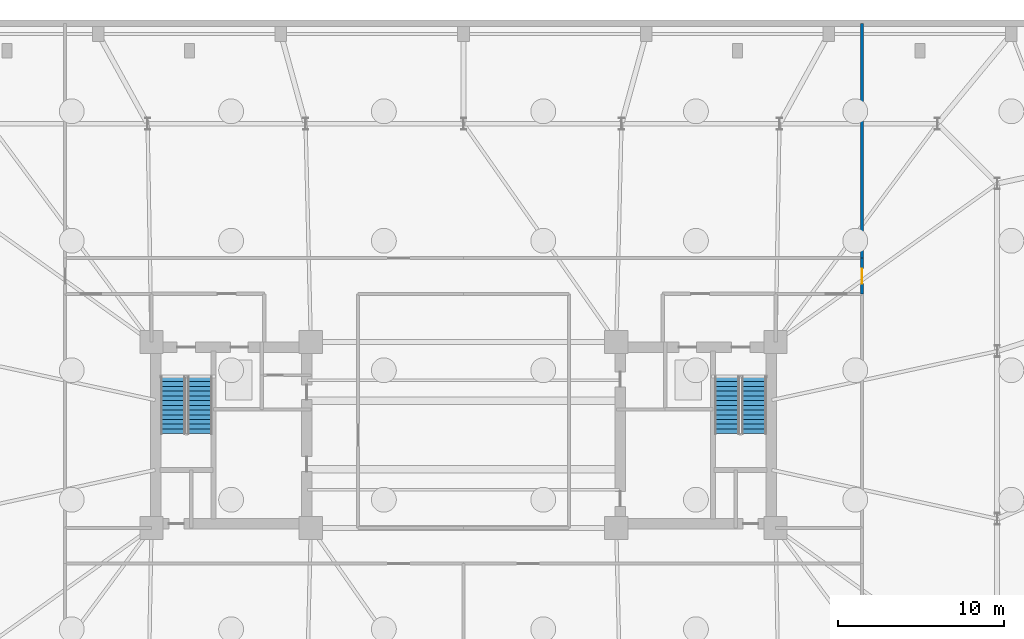
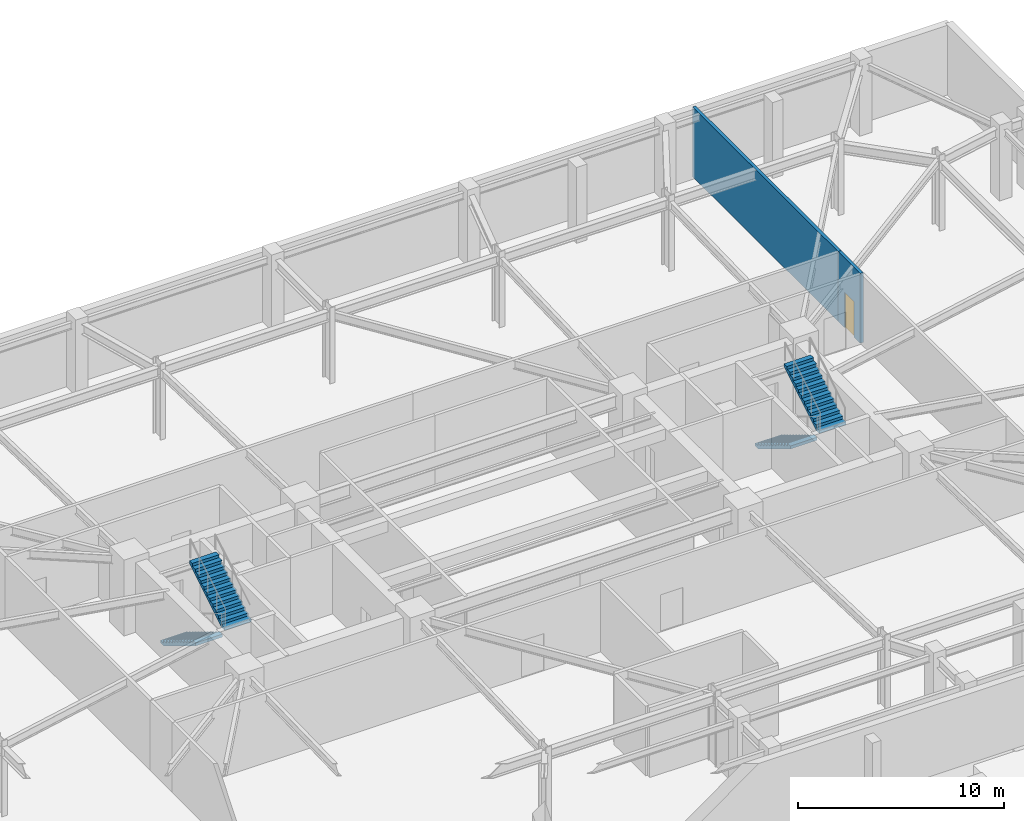
# One storey, part 12 of 15: 4 stair flights, 2 walls, 1 door, 1 opening, 2 elements without a shape of their own.
"""IFC4 building model written with IfcOpenShell, lengths in metres."""

import ifcopenshell
import ifcopenshell.guid

model = None  # the IFC model being written
_history = None  # IfcOwnerHistory: only IFC2X3 demands one
_inside = {}  # id of a spatial element -> (the spatial element, [elements in it])
_under = {}  # id of a project, library or spatial element -> (it, [spatial elements below it])
_declared = {}  # id of a project -> (the project, [libraries it declares])
_typed = {}  # id of a type object -> (the type object, [elements of that type])
_made_of = {}  # id of a material, layer set ... -> (it, [elements and type objects made of it])


def new_model(schema):
    """Start an empty IFC model of exactly this schema.

    Asked for "IFC4X3", IfcOpenShell would pick the latest addendum, in which some entities
    have other attributes; the version numbers below select the first issue.
    IFC2X3 requires an IfcOwnerHistory on every rooted entity: one is made here for all.
    """
    global model, _history
    if schema == "IFC4X3":
        model = ifcopenshell.file(schema_version=(4, 3, 0, 0))
    else:
        model = ifcopenshell.file(schema=schema)
    _inside.clear()
    _under.clear()
    _declared.clear()
    _typed.clear()
    _made_of.clear()
    _history = None
    if model.schema == "IFC2X3":
        org = make("IfcOrganization", Name="unknown")
        user = make(
            "IfcPersonAndOrganization",
            ThePerson=make("IfcPerson", FamilyName="unknown"),
            TheOrganization=org,
        )
        app = make(
            "IfcApplication",
            ApplicationDeveloper=org,
            Version="unknown",
            ApplicationFullName="unknown",
            ApplicationIdentifier="unknown",
        )
        _history = make(
            "IfcOwnerHistory",
            OwningUser=user,
            OwningApplication=app,
            ChangeAction="ADDED",
            CreationDate=0,
        )
    return model


def make(cls, **values):
    """One entity of the class cls with the attributes given. An attribute that is None is left unset."""
    return model.create_entity(
        cls, **{name: value for name, value in values.items() if value is not None}
    )


def rooted(cls, **values):
    """An entity with a GlobalId (a new one), such as an element, a storey or a relation."""
    return make(cls, GlobalId=ifcopenshell.guid.new(), OwnerHistory=_history, **values)


def si_unit(unit_type, name, prefix=None):
    """IfcSIUnit, for example si_unit("LENGTHUNIT", "METRE", prefix="MILLI")."""
    return make("IfcSIUnit", UnitType=unit_type, Prefix=prefix, Name=name)


def assignment(units):
    """IfcUnitAssignment: the units of a project."""
    return None if units is None else make("IfcUnitAssignment", Units=units)


def point(xyz):
    """IfcCartesianPoint."""
    return None if xyz is None else make("IfcCartesianPoint", Coordinates=xyz)


def direction(xyz):
    """IfcDirection."""
    return None if xyz is None else make("IfcDirection", DirectionRatios=xyz)


def frame(location, z_axis=None, x_axis=None):
    """IfcAxis2Placement3D, a coordinate frame: its origin and axes. An axis left out is left unset."""
    return make(
        "IfcAxis2Placement3D",
        Location=point(location),
        Axis=direction(z_axis),
        RefDirection=direction(x_axis),
    )


def frame_2d(location, x_axis=None):
    """IfcAxis2Placement2D, a coordinate frame in the plane: its origin and x axis."""
    return make(
        "IfcAxis2Placement2D", Location=point(location), RefDirection=direction(x_axis)
    )


def origin():
    """The frame at (0, 0, 0) with its axes left unset."""
    return frame((0.0, 0.0, 0.0))


def place(relative_to, where):
    """IfcLocalPlacement: puts the frame where relative to a parent placement (None: the world)."""
    return make(
        "IfcLocalPlacement", PlacementRelTo=relative_to, RelativePlacement=where
    )


def context(
    kind, dimensions, precision=None, world=None, true_north=None, identifier=None
):
    """IfcGeometricRepresentationContext, for example the 3D "Model" context."""
    return make(
        "IfcGeometricRepresentationContext",
        ContextIdentifier=identifier,
        ContextType=kind,
        CoordinateSpaceDimension=dimensions,
        Precision=precision,
        WorldCoordinateSystem=world,
        TrueNorth=true_north,
    )


def subcontext(parent, identifier, kind, view, scale=None):
    """IfcGeometricRepresentationSubContext, for example "Body" below "Model"."""
    return make(
        "IfcGeometricRepresentationSubContext",
        ContextIdentifier=identifier,
        ContextType=kind,
        ParentContext=parent,
        TargetScale=scale,
        TargetView=view,
    )


def project(units=None, contexts=None):
    """IfcProject with its units and contexts."""
    return rooted(
        "IfcProject",
        Name="project",
        RepresentationContexts=contexts,
        UnitsInContext=assignment(units),
    )


def spatial(cls, under=None, at=None, **own):
    """A site, building, storey or space (cls), placed at a placement, below another one or the project."""
    s = rooted(cls, ObjectPlacement=at, **own)
    if under is not None:
        _under.setdefault(under.id(), (under, []))[1].append(s)
    return s


def polyline(points):
    """IfcPolyline through the points."""
    return make("IfcPolyline", Points=[point(p) for p in points])


def profile(cls, at=None, kind="AREA", **sizes):
    """A parametric profile (cls). Its sizes go by their IFC names, for example OverallWidth=200.0."""
    return make(cls, ProfileType=kind, Position=at, **sizes)


def rectangle(**sizes):
    """IfcRectangleProfileDef."""
    return profile("IfcRectangleProfileDef", **sizes)


def outline(outer, holes=None, kind="AREA"):
    """IfcArbitraryClosedProfileDef: a profile drawn as a closed curve; with holes, ...WithVoids."""
    if holes is None:
        return make("IfcArbitraryClosedProfileDef", ProfileType=kind, OuterCurve=outer)
    return make(
        "IfcArbitraryProfileDefWithVoids",
        ProfileType=kind,
        OuterCurve=outer,
        InnerCurves=holes,
    )


def extrude(swept, where, along, depth):
    """IfcExtrudedAreaSolid: the profile swept, set in the frame where, extruded along a direction by depth."""
    return make(
        "IfcExtrudedAreaSolid",
        SweptArea=swept,
        Position=where,
        ExtrudedDirection=direction(along),
        Depth=depth,
    )


def shape(context_of_items, identifier, shape_type, items):
    """IfcShapeRepresentation: the items that make up one representation, for example the "Body"."""
    return make(
        "IfcShapeRepresentation",
        ContextOfItems=context_of_items,
        RepresentationIdentifier=identifier,
        RepresentationType=shape_type,
        Items=items,
    )


def material(Name=None, Category=None):
    """IfcMaterial."""
    return make("IfcMaterial", Name=Name, Category=Category)


def layer(
    of_material, thickness, ventilated=None, Name=None, Category=None, Priority=None
):
    """IfcMaterialLayer: one layer of a wall or slab, of a material (None: an air gap)."""
    return make(
        "IfcMaterialLayer",
        Material=of_material,
        LayerThickness=thickness,
        IsVentilated=ventilated,
        Name=Name,
        Category=Category,
        Priority=Priority,
    )


def layer_set(layers, Name=None):
    """IfcMaterialLayerSet."""
    return make("IfcMaterialLayerSet", MaterialLayers=layers, LayerSetName=Name)


def made_of(thing, what):
    """Note that an element or type object is made of a material, layer set ...; save() writes the relation."""
    if what is not None:
        _made_of.setdefault(what.id(), (what, []))[1].append(thing)
    return thing


def type_object(cls, material=None, **own):
    """A type object (cls), such as IfcWallType, which elements share."""
    return made_of(rooted(cls, **own), material)


def element(
    cls,
    number,
    at=None,
    inside=None,
    cuts=None,
    type_object=None,
    material=None,
    context=None,
    identifier="Body",
    shape_type=None,
    held_by="IfcProductDefinitionShape",
    body=None,
    shapes=None,
    **own,
):
    """One element of the class cls, such as IfcWall. Its Tag is "e" and its number.

    at: its placement. inside: the storey or other place that contains it. cuts: it is an
    opening in that element (IfcRelVoidsElement). A single representation is given by context,
    identifier, shape_type and body (its items); several are given by shapes. held_by: the class
    of the entity that holds the representations. save() writes the other relations.
    """
    e = rooted(cls, Tag="e%d" % number, ObjectPlacement=at, **own)
    if body is not None:
        shapes = [shape(context, identifier, shape_type, body)]
    if shapes is not None:
        e.Representation = make(held_by, Representations=shapes)
    if inside is not None:
        _inside.setdefault(inside.id(), (inside, []))[1].append(e)
    if cuts is not None:
        rooted(
            "IfcRelVoidsElement", RelatingBuildingElement=cuts, RelatedOpeningElement=e
        )
    if type_object is not None:
        _typed.setdefault(type_object.id(), (type_object, []))[1].append(e)
    return made_of(e, material)


def fill(opening, filler):
    """IfcRelFillsElement: the door or window that sits in an opening."""
    return rooted(
        "IfcRelFillsElement",
        RelatingOpeningElement=opening,
        RelatedBuildingElement=filler,
    )


def aggregate(whole, parts):
    """IfcRelAggregates: a whole, such as a stair, and the parts it consists of."""
    return rooted("IfcRelAggregates", RelatingObject=whole, RelatedObjects=parts)


def save(model, path):
    """Write the relations noted so far, then the file.

    IfcRelAggregates (storeys below a building ...), IfcRelContainedInSpatialStructure (elements
    in a storey), IfcRelDefinesByType, IfcRelAssociatesMaterial and IfcRelDeclares: one each for
    every whole, place, type object, material and project.
    """
    for whole, parts in _under.values():
        aggregate(whole, parts)
    for where, things in _inside.values():
        rooted(
            "IfcRelContainedInSpatialStructure",
            RelatedElements=things,
            RelatingStructure=where,
        )
    for kind, things in _typed.values():
        rooted("IfcRelDefinesByType", RelatedObjects=things, RelatingType=kind)
    for what, things in _made_of.values():
        rooted("IfcRelAssociatesMaterial", RelatedObjects=things, RelatingMaterial=what)
    for by, libraries in _declared.values():
        rooted("IfcRelDeclares", RelatingContext=by, RelatedDefinitions=libraries)
    model.write(path)


model = new_model("IFC4")

# Units and contexts
model_context = context("Model", 3, precision=1e-05, world=origin(), true_north=direction((0.0, 1.0)))
body_context = subcontext(model_context, "Body", "Model", "MODEL_VIEW")
ifc_project = project(units=[si_unit("LENGTHUNIT", "METRE"), si_unit("AREAUNIT", "SQUARE_METRE"), si_unit("VOLUMEUNIT", "CUBIC_METRE"), si_unit("PLANEANGLEUNIT", "RADIAN"), si_unit("MASSUNIT", "GRAM", prefix="KILO")], contexts=[model_context])

# Site, building, storey
site_placement = place(None, origin())
site = spatial("IfcSite", under=ifc_project, at=site_placement, CompositionType="ELEMENT")
building_placement = place(site_placement, origin())
building = spatial("IfcBuilding", under=site, at=building_placement, Name="Qobustan Lattice House", CompositionType="ELEMENT")
storey_placement = place(building_placement, frame((0.0, 0.0, -9.0)))
storey = spatial("IfcBuildingStorey", under=building, at=storey_placement, Name="B02", CompositionType="ELEMENT", Elevation=-9.0)

# Wall, opening, door
ifc_material_1 = material(Name="Gypsum fireboard acoustic partition", Category="gypsum")
ifc_layer = layer(ifc_material_1, 0.179931640625)
ifc_layer_set = layer_set([ifc_layer], Name="Gypsum fireboard acoustic partition")
wall_type = type_object("IfcWallType", Name="WAL-FIRE-180", PredefinedType="PARTITIONING", material=ifc_layer_set)
wall_1_placement = place(storey_placement, frame((24.0, 10.64990234375, 0.0), z_axis=(0.0, 0.0, 1.0), x_axis=(0.0, -1.0, 0.0)))
wall_1 = element("IfcWall", 1, at=wall_1_placement, inside=storey, type_object=wall_type, Name="B02 interior partition 26", PredefinedType="PARTITIONING", context=body_context, shape_type="SweptSolid", body=[
    extrude(rectangle(XDim=2.14990234375, YDim=0.179931640625, at=frame_2d((1.074951171875, 0.0))), origin(), (0.0, 0.0, 1.0), 4.139892578125),
])
opening_placement = place(wall_1_placement, frame((0.625, 0.0, 0.0)))
opening = element("IfcOpeningElement", 2, at=opening_placement, cuts=wall_1, Name="Opening RD-01", PredefinedType="OPENING", context=body_context, shape_type="SweptSolid", body=[
    extrude(rectangle(XDim=0.89990234375, YDim=2.10009765625, at=frame_2d((0.449951171875, 1.050048828125))), frame((0.0, 0.099853515625, 0.0), z_axis=(0.0, -1.0, 0.0), x_axis=(1.0, 0.0, 0.0)), (0.0, 0.0, 1.0), 0.199951171875),
])
ifc_material_2 = material(Name="Persian walnut timber and steel frame door", Category="steel")
door_type = type_object("IfcDoorType", Name="DOR-RISER-FD-900x2100", OperationType="NOTDEFINED", PredefinedType="DOOR", material=ifc_material_2)
door_placement = place(opening_placement, origin())
door = element("IfcDoor", 3, at=door_placement, inside=storey, type_object=door_type, Name="B02 North-east substructure corridor to Standby generator and UPS battery plant door", OperationType="SINGLE_SWING_RIGHT", OverallHeight=2.10009765625, OverallWidth=0.89990234375, PredefinedType="DOOR", context=body_context, shape_type="SweptSolid", body=[
    extrude(rectangle(XDim=0.89990234375, YDim=2.10009765625, at=frame_2d((0.449951171875, 1.050048828125))), frame((0.0, 0.02490234375, 0.0), z_axis=(0.0, -1.0, 0.0), x_axis=(1.0, 0.0, 0.0)), (0.0, 0.0, 1.0), 0.050048828125),
])
fill(opening, door)

# Wall
wall_2_placement = place(storey_placement, frame((24.0, 24.800048828125, 0.0), z_axis=(0.0, 0.0, 1.0), x_axis=(0.0, -1.0, 0.0)))
element("IfcWall", 4, at=wall_2_placement, inside=storey, type_object=wall_type, Name="B02 interior partition 40", PredefinedType="PARTITIONING", context=body_context, shape_type="SweptSolid", body=[
    extrude(rectangle(XDim=14.150146484375, YDim=0.179931640625, at=frame_2d((7.0751953125, 0.0))), origin(), (0.0, 0.0, 1.0), 4.139892578125),
])

# Stair, stair flights
ifc_material_3 = material(Name="Concrete C40/50", Category="concrete")
stair_type = type_object("IfcStairType", Name="STR-CORE-DOGLEG", PredefinedType="HALF_TURN_STAIR", material=ifc_material_3)
stair_1_placement = place(storey_placement, origin())
stair_1 = element("IfcStair", 5, at=stair_1_placement, inside=storey, type_object=stair_type, Name="B02 West protected exit stair ST-W1", PredefinedType="HALF_TURN_STAIR")
ifc_material_4 = material(Name="Concrete C40/50", Category="concrete")
stair_flight_type = type_object("IfcStairFlightType", Name="SFL-RC-1500", PredefinedType="STRAIGHT", material=ifc_material_4)
stair_flight_1_placement = place(storey_placement, frame((-17.5, 3.5, 0.0), z_axis=(0.0, 0.0, 1.0), x_axis=(0.0, -1.0, 0.0)))
stair_flight_1 = element("IfcStairFlight", 6, at=stair_flight_1_placement, type_object=stair_flight_type, Name="ST-W1 flight 1", NumberOfRisers=13, NumberOfTreads=12, PredefinedType="STRAIGHT", RiserHeight=0.173076923, TreadLength=0.285, context=body_context, shape_type="SweptSolid", body=[
    extrude(outline(polyline([(0.0, 0.0), (0.0, 0.173095703125), (0.284912109375, 0.173095703125), (0.284912109375, 0.34619140625), (0.570068359375, 0.34619140625), (0.570068359375, 0.519287109375), (0.85498046875, 0.519287109375), (0.85498046875, 0.6923828125), (1.139892578125, 0.6923828125), (1.139892578125, 0.865478515625), (1.425048828125, 0.865478515625), (1.425048828125, 1.03857421875), (1.7099609375, 1.03857421875), (1.7099609375, 1.21142578125), (1.9951171875, 1.21142578125), (1.9951171875, 1.384521484375), (2.280029296875, 1.384521484375), (2.280029296875, 1.5576171875), (2.56494140625, 1.5576171875), (2.56494140625, 1.730712890625), (2.85009765625, 1.730712890625), (2.85009765625, 1.90380859375), (3.135009765625, 1.90380859375), (3.135009765625, 2.076904296875), (3.419921875, 2.076904296875), (3.419921875, 2.25), (3.419921875, 1.901611328125), (0.288818359375, 0.0), (0.0, 0.0)])), frame((0.0, 0.75, 0.0), z_axis=(0.0, -1.0, 0.0), x_axis=(1.0, 0.0, 0.0)), (0.0, 0.0, 1.0), 1.5),
])
stair_flight_2_placement = place(storey_placement, frame((-15.8798828125, 0.080078125, 2.25), z_axis=(0.0, 0.0, 1.0), x_axis=(0.0, 1.0, 0.0)))
stair_flight_2 = element("IfcStairFlight", 7, at=stair_flight_2_placement, type_object=stair_flight_type, Name="ST-W1 flight 2", NumberOfRisers=13, NumberOfTreads=12, PredefinedType="STRAIGHT", RiserHeight=0.173076923, TreadLength=0.285, context=body_context, shape_type="SweptSolid", body=[
    extrude(outline(polyline([(0.0, 0.0), (0.0, 0.173095703125), (0.284912109375, 0.173095703125), (0.284912109375, 0.34619140625), (0.570068359375, 0.34619140625), (0.570068359375, 0.519287109375), (0.85498046875, 0.519287109375), (0.85498046875, 0.6923828125), (1.139892578125, 0.6923828125), (1.139892578125, 0.865478515625), (1.425048828125, 0.865478515625), (1.425048828125, 1.03857421875), (1.7099609375, 1.03857421875), (1.7099609375, 1.21142578125), (1.9951171875, 1.21142578125), (1.9951171875, 1.384521484375), (2.280029296875, 1.384521484375), (2.280029296875, 1.5576171875), (2.56494140625, 1.5576171875), (2.56494140625, 1.730712890625), (2.85009765625, 1.730712890625), (2.85009765625, 1.90380859375), (3.135009765625, 1.90380859375), (3.135009765625, 2.076904296875), (3.419921875, 2.076904296875), (3.419921875, 2.25), (3.419921875, 1.901611328125), (0.288818359375, 0.0), (0.0, 0.0)])), frame((0.0, 0.75, 0.0), z_axis=(0.0, -1.0, 0.0), x_axis=(1.0, 0.0, 0.0)), (0.0, 0.0, 1.0), 1.5),
])
aggregate(stair_1, [stair_flight_1, stair_flight_2])

stair_2_placement = place(storey_placement, origin())
stair_2 = element("IfcStair", 8, at=stair_2_placement, inside=storey, type_object=stair_type, Name="B02 East protected exit stair ST-E1", PredefinedType="HALF_TURN_STAIR")
stair_flight_3_placement = place(storey_placement, frame((15.8798828125, 3.5, 0.0), z_axis=(0.0, 0.0, 1.0), x_axis=(0.0, -1.0, 0.0)))
stair_flight_3 = element("IfcStairFlight", 9, at=stair_flight_3_placement, type_object=stair_flight_type, Name="ST-E1 flight 1", NumberOfRisers=13, NumberOfTreads=12, PredefinedType="STRAIGHT", RiserHeight=0.173076923, TreadLength=0.285, context=body_context, shape_type="SweptSolid", body=[
    extrude(outline(polyline([(0.0, 0.0), (0.0, 0.173095703125), (0.284912109375, 0.173095703125), (0.284912109375, 0.34619140625), (0.570068359375, 0.34619140625), (0.570068359375, 0.519287109375), (0.85498046875, 0.519287109375), (0.85498046875, 0.6923828125), (1.139892578125, 0.6923828125), (1.139892578125, 0.865478515625), (1.425048828125, 0.865478515625), (1.425048828125, 1.03857421875), (1.7099609375, 1.03857421875), (1.7099609375, 1.21142578125), (1.9951171875, 1.21142578125), (1.9951171875, 1.384521484375), (2.280029296875, 1.384521484375), (2.280029296875, 1.5576171875), (2.56494140625, 1.5576171875), (2.56494140625, 1.730712890625), (2.85009765625, 1.730712890625), (2.85009765625, 1.90380859375), (3.135009765625, 1.90380859375), (3.135009765625, 2.076904296875), (3.419921875, 2.076904296875), (3.419921875, 2.25), (3.419921875, 1.901611328125), (0.288818359375, 0.0), (0.0, 0.0)])), frame((0.0, 0.75, 0.0), z_axis=(0.0, -1.0, 0.0), x_axis=(1.0, 0.0, 0.0)), (0.0, 0.0, 1.0), 1.5),
])
stair_flight_4_placement = place(storey_placement, frame((17.5, 0.080078125, 2.25), z_axis=(0.0, 0.0, 1.0), x_axis=(0.0, 1.0, 0.0)))
stair_flight_4 = element("IfcStairFlight", 10, at=stair_flight_4_placement, type_object=stair_flight_type, Name="ST-E1 flight 2", NumberOfRisers=13, NumberOfTreads=12, PredefinedType="STRAIGHT", RiserHeight=0.173076923, TreadLength=0.285, context=body_context, shape_type="SweptSolid", body=[
    extrude(outline(polyline([(0.0, 0.0), (0.0, 0.173095703125), (0.284912109375, 0.173095703125), (0.284912109375, 0.34619140625), (0.570068359375, 0.34619140625), (0.570068359375, 0.519287109375), (0.85498046875, 0.519287109375), (0.85498046875, 0.6923828125), (1.139892578125, 0.6923828125), (1.139892578125, 0.865478515625), (1.425048828125, 0.865478515625), (1.425048828125, 1.03857421875), (1.7099609375, 1.03857421875), (1.7099609375, 1.21142578125), (1.9951171875, 1.21142578125), (1.9951171875, 1.384521484375), (2.280029296875, 1.384521484375), (2.280029296875, 1.5576171875), (2.56494140625, 1.5576171875), (2.56494140625, 1.730712890625), (2.85009765625, 1.730712890625), (2.85009765625, 1.90380859375), (3.135009765625, 1.90380859375), (3.135009765625, 2.076904296875), (3.419921875, 2.076904296875), (3.419921875, 2.25), (3.419921875, 1.901611328125), (0.288818359375, 0.0), (0.0, 0.0)])), frame((0.0, 0.75, 0.0), z_axis=(0.0, -1.0, 0.0), x_axis=(1.0, 0.0, 0.0)), (0.0, 0.0, 1.0), 1.5),
])
aggregate(stair_2, [stair_flight_3, stair_flight_4])

save(model, "model.ifc")
